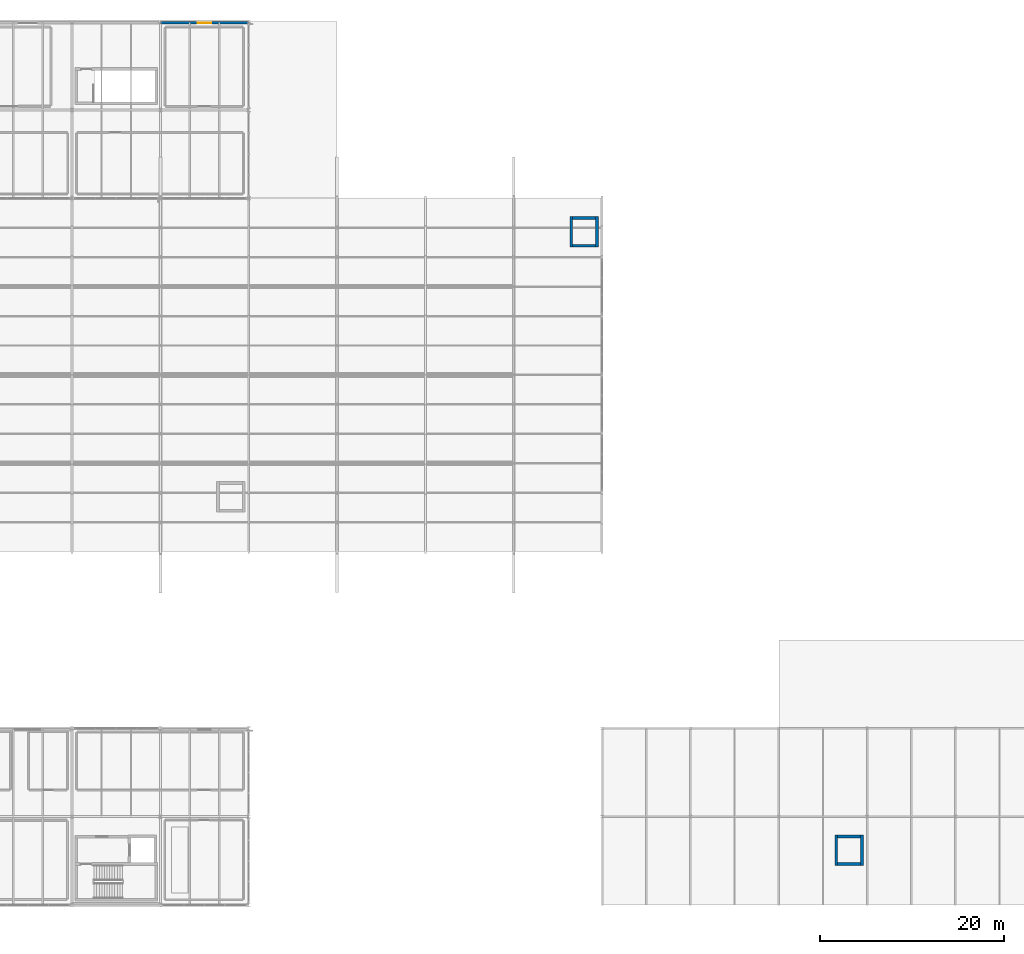
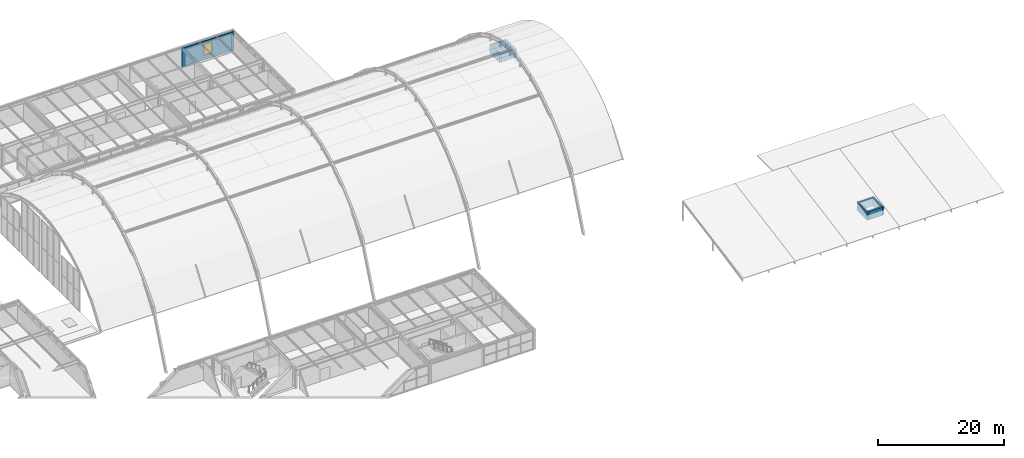
# One storey, part 120 of 126: 9 walls, 1 window, 1 opening.
"""IFC4 building model written with IfcOpenShell, lengths in metres."""

from ifc_helpers import new_model, si_unit, direction, frame, frame_2d, origin, place, context, subcontext, project, spatial, rectangle, extrude, material, layer, layer_set, type_object, element, fill, save


model = new_model("IFC4")

# Units and contexts
model_context = context("Model", 3, precision=1e-05, world=origin(), true_north=direction((0.0, 1.0)))
body_context = subcontext(model_context, "Body", "Model", "MODEL_VIEW")
ifc_project = project(units=[si_unit("LENGTHUNIT", "METRE"), si_unit("AREAUNIT", "SQUARE_METRE"), si_unit("VOLUMEUNIT", "CUBIC_METRE"), si_unit("PLANEANGLEUNIT", "RADIAN"), si_unit("MASSUNIT", "GRAM", prefix="KILO")], contexts=[model_context])

# Site, building, storey
site_placement = place(None, origin())
site = spatial("IfcSite", under=ifc_project, at=site_placement, CompositionType="ELEMENT")
building_placement = place(site_placement, origin())
building = spatial("IfcBuilding", under=site, at=building_placement, Name="Coralgate Yard Interchange", CompositionType="ELEMENT")
storey_placement = place(building_placement, frame((0.0, 0.0, 10.5)))
storey = spatial("IfcBuildingStorey", under=building, at=storey_placement, Name="L02", CompositionType="ELEMENT", Elevation=10.5)

# Walls
ifc_material_1 = material(Name="Concrete C40/50", Category="concrete")
ifc_layer_1 = layer(ifc_material_1, 0.300048828125)
ifc_layer_set_1 = layer_set([ifc_layer_1], Name="Concrete C40/50")
wall_type_1 = type_object("IfcWallType", Name="WAL-CW300", PredefinedType="SHEAR", material=ifc_layer_set_1)
for number, where, z_axis, x_axis, name in (
    (1, (131.050048828125, 71.5, 0.0), (0.0, 0.0, 1.0), (0.0, 1.0, 0.0), "LF-05 lift overrun wall W"),
    (2, (133.85009765625, 71.5, 0.0), (0.0, 0.0, 1.0), (0.0, 1.0, 0.0), "LF-05 lift overrun wall E"),
):
    element("IfcWall", number, at=place(storey_placement, frame(where, z_axis=z_axis, x_axis=x_axis)), inside=storey, type_object=wall_type_1, Name=name, PredefinedType="SHEAR", context=body_context, shape_type="SweptSolid", body=[
        extrude(rectangle(XDim=3.300048828125, YDim=0.300048828125, at=frame_2d((1.64990234375, 0.0))), origin(), (0.0, 0.0, 1.0), 1.60009765625),
    ])
for number, where, z_axis, x_axis, name in (
    (3, (131.199951171875, 71.64990234375, 0.0), (0.0, 0.0, 1.0), (1.0, 0.0, 0.0), "LF-05 lift overrun wall S"),
    (4, (131.199951171875, 74.64990234375, 0.0), (0.0, 0.0, 1.0), (1.0, 0.0, 0.0), "LF-05 lift overrun wall N"),
):
    element("IfcWall", number, at=place(storey_placement, frame(where, z_axis=z_axis, x_axis=x_axis)), inside=storey, type_object=wall_type_1, Name=name, PredefinedType="SHEAR", context=body_context, shape_type="SweptSolid", body=[
        extrude(rectangle(XDim=2.5, YDim=0.300048828125, at=frame_2d((1.25, 0.0))), origin(), (0.0, 0.0, 1.0), 1.60009765625),
    ])
for number, where, z_axis, x_axis, name in (
    (5, (159.85009765625, 4.300048828125, 0.0), (0.0, 0.0, 1.0), (0.0, 1.0, 0.0), "LF-06 lift overrun wall W"),
    (6, (162.64990234375, 4.300048828125, 0.0), (0.0, 0.0, 1.0), (0.0, 1.0, 0.0), "LF-06 lift overrun wall E"),
):
    element("IfcWall", number, at=place(storey_placement, frame(where, z_axis=z_axis, x_axis=x_axis)), inside=storey, type_object=wall_type_1, Name=name, PredefinedType="SHEAR", context=body_context, shape_type="SweptSolid", body=[
        extrude(rectangle(XDim=3.300048828125, YDim=0.300048828125, at=frame_2d((1.64990234375, 0.0))), origin(), (0.0, 0.0, 1.0), 1.60009765625),
    ])
for number, where, z_axis, x_axis, name in (
    (7, (160.0, 4.449951171875, 0.0), (0.0, 0.0, 1.0), (1.0, 0.0, 0.0), "LF-06 lift overrun wall S"),
    (8, (160.0, 7.449951171875, 0.0), (0.0, 0.0, 1.0), (1.0, 0.0, 0.0), "LF-06 lift overrun wall N"),
):
    element("IfcWall", number, at=place(storey_placement, frame(where, z_axis=z_axis, x_axis=x_axis)), inside=storey, type_object=wall_type_1, Name=name, PredefinedType="SHEAR", context=body_context, shape_type="SweptSolid", body=[
        extrude(rectangle(XDim=2.5, YDim=0.300048828125, at=frame_2d((1.25, 0.0))), origin(), (0.0, 0.0, 1.0), 1.60009765625),
    ])

# Wall, opening, window
ifc_material_2 = material(Name="Precast concrete C40/50", Category="concrete")
ifc_layer_2 = layer(ifc_material_2, 0.280029296875)
ifc_layer_set_2 = layer_set([ifc_layer_2], Name="Precast concrete C40/50")
wall_type_2 = type_object("IfcWallType", Name="WAL-EW-280", PredefinedType="SOLIDWALL", material=ifc_layer_set_2)
wall_placement = place(storey_placement, frame((86.419921875, 95.860107421875, 0.0), z_axis=(0.0, 0.0, 1.0), x_axis=(1.0, 0.0, 0.0)))
wall = element("IfcWall", 9, at=wall_placement, inside=storey, type_object=wall_type_2, Name="L02 exterior coastal wall N 9-9", PredefinedType="SOLIDWALL", context=body_context, shape_type="SweptSolid", body=[
    extrude(rectangle(XDim=9.56005859375, YDim=0.280029296875, at=frame_2d((4.780029296875, 0.0))), origin(), (0.0, 0.0, 1.0), 3.659912109375),
])
opening_placement = place(wall_placement, frame((4.030029296875, 0.0, 0.89990234375)))
opening = element("IfcOpeningElement", 10, at=opening_placement, cuts=wall, Name="Opening W-23", PredefinedType="OPENING", context=body_context, shape_type="SweptSolid", body=[
    extrude(rectangle(XDim=1.5, YDim=2.10009765625, at=frame_2d((0.75, 1.050048828125))), frame((0.0, 0.14990234375, 0.0), z_axis=(0.0, -1.0, 0.0), x_axis=(1.0, 0.0, 0.0)), (0.0, 0.0, 1.0), 0.300048828125),
])
ifc_material_3 = material(Name="Thermally broken anodised aluminium and solar-control low-E glass", Category="aluminium")
window_type = type_object("IfcWindowType", Name="WIN-W-23", PartitioningType="SINGLE_PANEL", PredefinedType="WINDOW", material=ifc_material_3)
window_placement = place(opening_placement, origin())
window = element("IfcWindow", 11, at=window_placement, inside=storey, type_object=window_type, Name="L02 coastal facade window N-9-9", OverallHeight=2.10009765625, OverallWidth=1.5, PartitioningType="SINGLE_PANEL", PredefinedType="WINDOW", context=body_context, shape_type="SweptSolid", body=[
    extrude(rectangle(XDim=1.5, YDim=2.10009765625, at=frame_2d((0.75, 1.050048828125))), frame((0.0, 0.030029296875, 0.0), z_axis=(0.0, -1.0, 0.0), x_axis=(1.0, 0.0, 0.0)), (0.0, 0.0, 1.0), 0.06005859375),
])
fill(opening, window)

save(model, "model.ifc")
